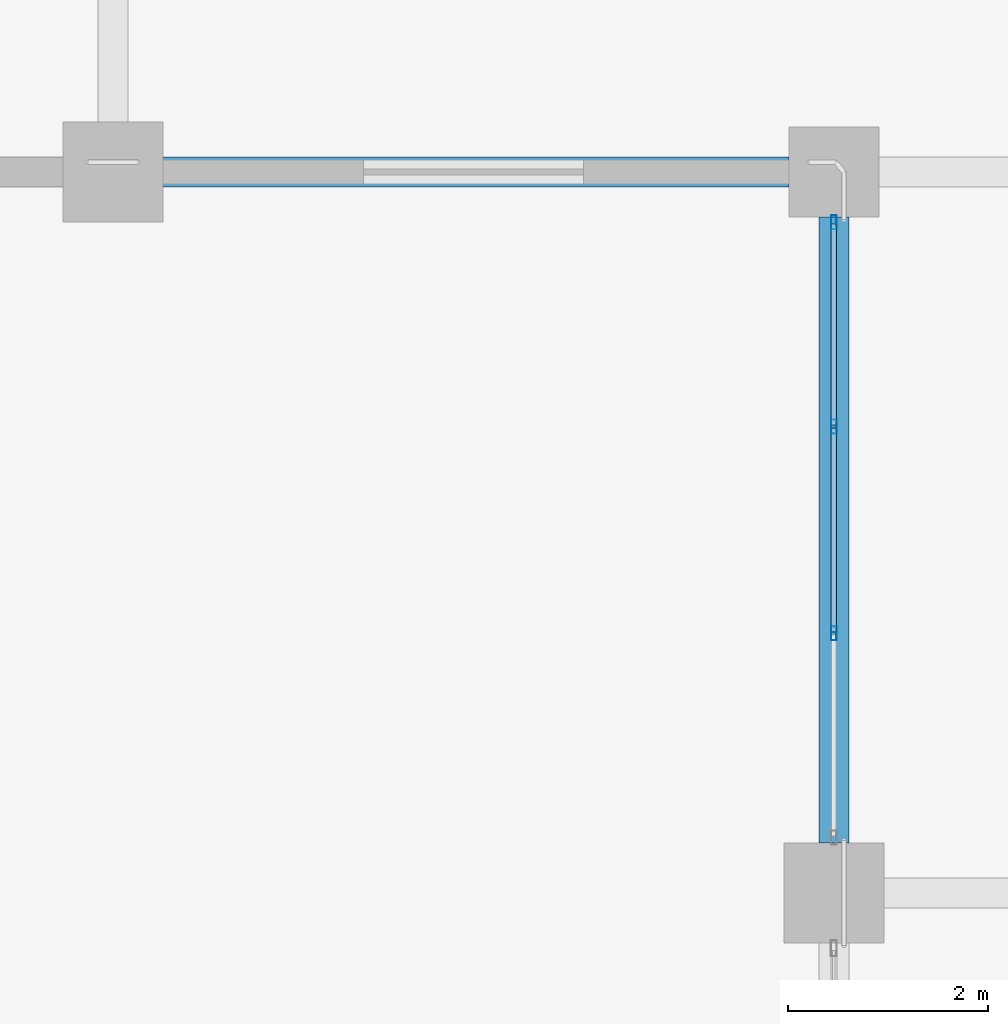
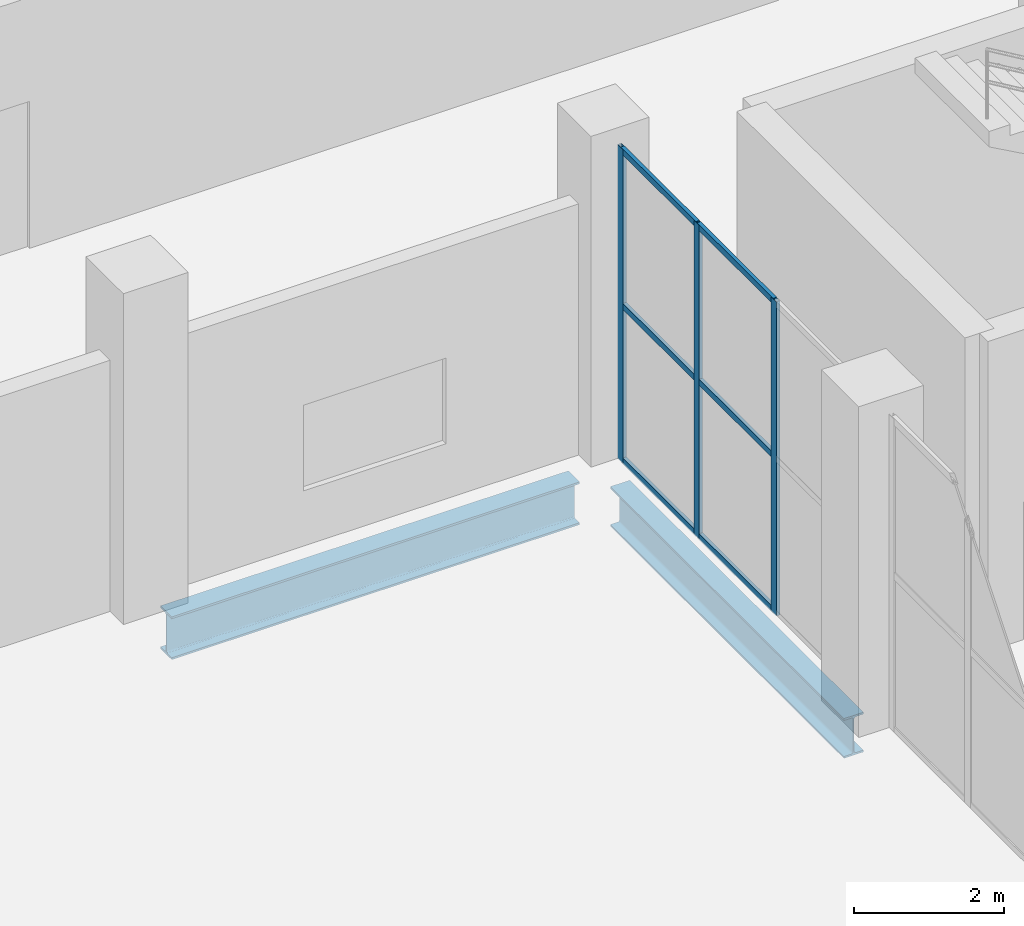
# One storey, part 22 of 58: 9 members, 2 beams, 1 element without a shape of its own.
"""IFC4 building model written with IfcOpenShell, lengths in metres."""

from ifc_helpers import new_model, si_unit, direction, frame, origin, origin_2d, place, context, subcontext, project, spatial, hollow_rectangle, i_section, extrude, material, material_profile, profile_set, type_object, element, aggregate, save


model = new_model("IFC4")

# Units and contexts
model_context = context("Model", 3, precision=1e-05, world=origin(), true_north=direction((0.0, 1.0)))
body_context = subcontext(model_context, "Body", "Model", "MODEL_VIEW")
ifc_project = project(units=[si_unit("LENGTHUNIT", "METRE"), si_unit("AREAUNIT", "SQUARE_METRE"), si_unit("VOLUMEUNIT", "CUBIC_METRE"), si_unit("PLANEANGLEUNIT", "RADIAN"), si_unit("MASSUNIT", "GRAM", prefix="KILO")], contexts=[model_context])

# Site, building, storey
site_placement = place(None, origin())
site = spatial("IfcSite", under=ifc_project, at=site_placement, CompositionType="ELEMENT")
building_placement = place(site_placement, origin())
building = spatial("IfcBuilding", under=site, at=building_placement, Name="Qandorah Velis Arena", CompositionType="ELEMENT")
storey_placement = place(building_placement, origin())
storey = spatial("IfcBuildingStorey", under=building, at=storey_placement, Name="L00", CompositionType="ELEMENT", Elevation=0.0)

# Curtain wall, members
ifc_material_1 = material(Name="Solar-control low-E double glazing", Category="glass")
curtain_wall_type = type_object("IfcCurtainWallType", Name="ARC-CW-SYS24", PredefinedType="USERDEFINED", material=ifc_material_1)
curtain_wall_placement = place(storey_placement, origin())
curtain_wall = element("IfcCurtainWall", 1, at=curtain_wall_placement, inside=storey, type_object=curtain_wall_type, Name="Unitised curtain wall L00-120", ObjectType="UNITISED CURTAIN WALL", PredefinedType="USERDEFINED")
ifc_material_2 = material(Name="Champagne-bronze anodized aluminium 6063-T6", Category="aluminium")
ifc_material_profile_1 = material_profile(ifc_material_2, hollow_rectangle(XDim=0.054931640625, YDim=0.139892578125, WallThickness=0.0029296875, at=origin_2d()), Name="ALU MULLION 55x140")
ifc_profile_set_1 = profile_set([ifc_material_profile_1], Name="Champagne-bronze anodized aluminium 6063-T6")
member_type_1 = type_object("IfcMemberType", Name="ARC-CWM-140", PredefinedType="MULLION", material=ifc_profile_set_1)
member_1_placement = place(storey_placement, frame((151.199951171875, 81.791748046875, -0.014892578125), z_axis=(0.0, 0.0, 1.0), x_axis=(-1.0, 0.0, 0.0)))
member_1 = element("IfcMember", 2, at=member_1_placement, type_object=member_type_1, Name="CW24 mullion 2", PredefinedType="MULLION", context=body_context, shape_type="SweptSolid", body=[
    extrude(hollow_rectangle(XDim=0.054931640625, YDim=0.139892578125, WallThickness=0.0029296875, at=origin_2d()), origin(), (0.0, 0.0, 1.0), 5.1298828125),
])
member_2_placement = place(storey_placement, frame((151.199951171875, 83.8583984375, -0.014892578125), z_axis=(0.0, 0.0, 1.0), x_axis=(-1.0, 0.0, 0.0)))
member_2 = element("IfcMember", 3, at=member_2_placement, type_object=member_type_1, Name="CW24 mullion 3", PredefinedType="MULLION", context=body_context, shape_type="SweptSolid", body=[
    extrude(hollow_rectangle(XDim=0.054931640625, YDim=0.139892578125, WallThickness=0.0029296875, at=origin_2d()), origin(), (0.0, 0.0, 1.0), 5.1298828125),
])
member_3_placement = place(storey_placement, frame((151.199951171875, 85.8974609375, -0.014892578125), z_axis=(0.0, 0.0, 1.0), x_axis=(-1.0, 0.0, 0.0)))
member_3 = element("IfcMember", 4, at=member_3_placement, type_object=member_type_1, Name="CW24 mullion 4", PredefinedType="MULLION", context=body_context, shape_type="SweptSolid", body=[
    extrude(hollow_rectangle(XDim=0.054931640625, YDim=0.139892578125, WallThickness=0.0029296875, at=origin_2d()), origin(), (0.0, 0.0, 1.0), 5.1298828125),
])
ifc_material_profile_2 = material_profile(ifc_material_2, hollow_rectangle(XDim=0.054931640625, YDim=0.10009765625, WallThickness=0.0029296875, at=origin_2d()), Name="ALU TRANSOM 55x100")
ifc_profile_set_2 = profile_set([ifc_material_profile_2], Name="Champagne-bronze anodized aluminium 6063-T6")
member_type_2 = type_object("IfcMemberType", Name="ARC-CWT-100", PredefinedType="USERDEFINED", material=ifc_profile_set_2)
member_4_placement = place(storey_placement, frame((151.199951171875, 81.80712890625, 0.027587890625), z_axis=(0.0, 1.0, 0.0), x_axis=(-1.0, 0.0, 0.0)))
member_4 = element("IfcMember", 5, at=member_4_placement, type_object=member_type_2, Name="CW24 transom 2.1", ObjectType="TRANSOM", PredefinedType="USERDEFINED", context=body_context, shape_type="SweptSolid", body=[
    extrude(hollow_rectangle(XDim=0.054931640625, YDim=0.10009765625, WallThickness=0.0029296875, at=origin_2d()), origin(), (0.0, 0.0, 1.0), 2.03564453125),
])
member_5_placement = place(storey_placement, frame((151.199951171875, 81.80712890625, 2.550048828125), z_axis=(0.0, 1.0, 0.0), x_axis=(-1.0, 0.0, 0.0)))
member_5 = element("IfcMember", 6, at=member_5_placement, type_object=member_type_2, Name="CW24 transom 2.2", ObjectType="TRANSOM", PredefinedType="USERDEFINED", context=body_context, shape_type="SweptSolid", body=[
    extrude(hollow_rectangle(XDim=0.054931640625, YDim=0.10009765625, WallThickness=0.0029296875, at=origin_2d()), origin(), (0.0, 0.0, 1.0), 2.03564453125),
])
member_6_placement = place(storey_placement, frame((151.199951171875, 81.80712890625, 5.072509765625), z_axis=(0.0, 1.0, 0.0), x_axis=(-1.0, 0.0, 0.0)))
member_6 = element("IfcMember", 7, at=member_6_placement, type_object=member_type_2, Name="CW24 transom 2.3", ObjectType="TRANSOM", PredefinedType="USERDEFINED", context=body_context, shape_type="SweptSolid", body=[
    extrude(hollow_rectangle(XDim=0.054931640625, YDim=0.10009765625, WallThickness=0.0029296875, at=origin_2d()), origin(), (0.0, 0.0, 1.0), 2.03564453125),
])
member_7_placement = place(storey_placement, frame((151.199951171875, 83.873779296875, 0.027587890625), z_axis=(0.0, 1.0, 0.0), x_axis=(-1.0, 0.0, 0.0)))
member_7 = element("IfcMember", 8, at=member_7_placement, type_object=member_type_2, Name="CW24 transom 3.1", ObjectType="TRANSOM", PredefinedType="USERDEFINED", context=body_context, shape_type="SweptSolid", body=[
    extrude(hollow_rectangle(XDim=0.054931640625, YDim=0.10009765625, WallThickness=0.0029296875, at=origin_2d()), origin(), (0.0, 0.0, 1.0), 2.00830078125),
])
member_8_placement = place(storey_placement, frame((151.199951171875, 83.873779296875, 2.550048828125), z_axis=(0.0, 1.0, 0.0), x_axis=(-1.0, 0.0, 0.0)))
member_8 = element("IfcMember", 9, at=member_8_placement, type_object=member_type_2, Name="CW24 transom 3.2", ObjectType="TRANSOM", PredefinedType="USERDEFINED", context=body_context, shape_type="SweptSolid", body=[
    extrude(hollow_rectangle(XDim=0.054931640625, YDim=0.10009765625, WallThickness=0.0029296875, at=origin_2d()), origin(), (0.0, 0.0, 1.0), 2.00830078125),
])
member_9_placement = place(storey_placement, frame((151.199951171875, 83.873779296875, 5.072509765625), z_axis=(0.0, 1.0, 0.0), x_axis=(-1.0, 0.0, 0.0)))
member_9 = element("IfcMember", 10, at=member_9_placement, type_object=member_type_2, Name="CW24 transom 3.3", ObjectType="TRANSOM", PredefinedType="USERDEFINED", context=body_context, shape_type="SweptSolid", body=[
    extrude(hollow_rectangle(XDim=0.054931640625, YDim=0.10009765625, WallThickness=0.0029296875, at=origin_2d()), origin(), (0.0, 0.0, 1.0), 2.00830078125),
])
aggregate(curtain_wall, [member_1, member_2, member_3, member_4, member_5, member_6, member_7, member_8, member_9])

# Beams
ifc_material_3 = material(Name="Steel S355", Category="steel")
ifc_material_profile_3 = material_profile(ifc_material_3, i_section(OverallWidth=0.300048828125, OverallDepth=0.64990234375, WebThickness=0.01611328125, FlangeThickness=0.031005859375, FilletRadius=0.027099609375, at=origin_2d()), Name="HEB 650")
ifc_profile_set_3 = profile_set([ifc_material_profile_3], Name="Steel S355")
beam_type_1 = type_object("IfcBeamType", Name="STR-BM-HEB650", PredefinedType="BEAM", material=ifc_profile_set_3)
beam_1_placement = place(storey_placement, frame((151.199951171875, 79.699951171875, -0.7451171875), z_axis=(0.0, 1.0, 0.0), x_axis=(-1.0, 0.0, 0.0)))
element("IfcBeam", 11, at=beam_1_placement, inside=storey, type_object=beam_type_1, Name="Primary floor girder L00 Y-509", PredefinedType="BEAM", context=body_context, shape_type="SweptSolid", body=[
    extrude(i_section(OverallWidth=0.300048828125, OverallDepth=0.64990234375, WebThickness=0.01611328125, FlangeThickness=0.031005859375, FilletRadius=0.027099609375, at=origin_2d()), origin(), (0.0, 0.0, 1.0), 6.25),
])
ifc_material_profile_4 = material_profile(ifc_material_3, i_section(OverallWidth=0.300048828125, OverallDepth=0.699951171875, WebThickness=0.01708984375, FlangeThickness=0.031982421875, FilletRadius=0.027099609375, at=origin_2d()), Name="HEB 700")
ifc_profile_set_4 = profile_set([ifc_material_profile_4], Name="Steel S355")
beam_type_2 = type_object("IfcBeamType", Name="STR-BM-HEB700", PredefinedType="BEAM", material=ifc_profile_set_4)
beam_2_placement = place(storey_placement, frame((144.449951171875, 86.39990234375, -0.77001953125), z_axis=(1.0, 0.0, 0.0), x_axis=(0.0, 1.0, 0.0)))
element("IfcBeam", 12, at=beam_2_placement, inside=storey, type_object=beam_type_2, Name="Primary floor girder L00 X-159", PredefinedType="BEAM", context=body_context, shape_type="SweptSolid", body=[
    extrude(i_section(OverallWidth=0.300048828125, OverallDepth=0.699951171875, WebThickness=0.01708984375, FlangeThickness=0.031982421875, FilletRadius=0.027099609375, at=origin_2d()), origin(), (0.0, 0.0, 1.0), 6.300048828125),
])

save(model, "model.ifc")
